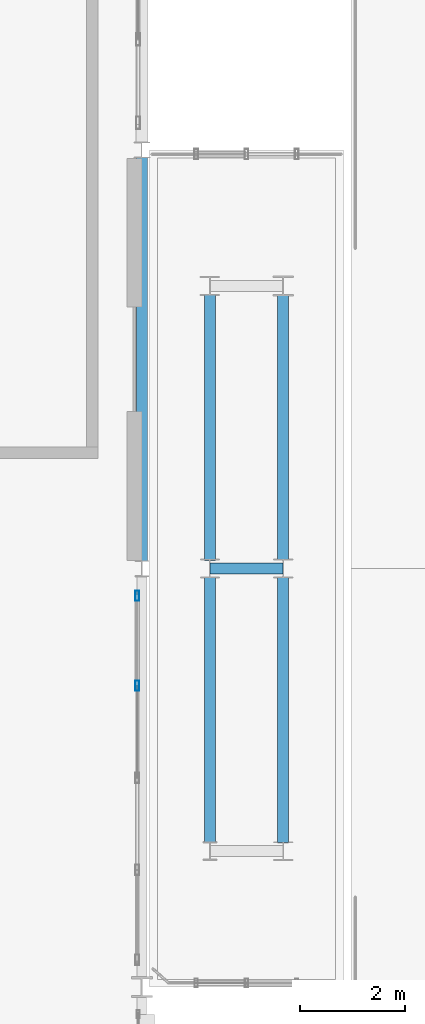
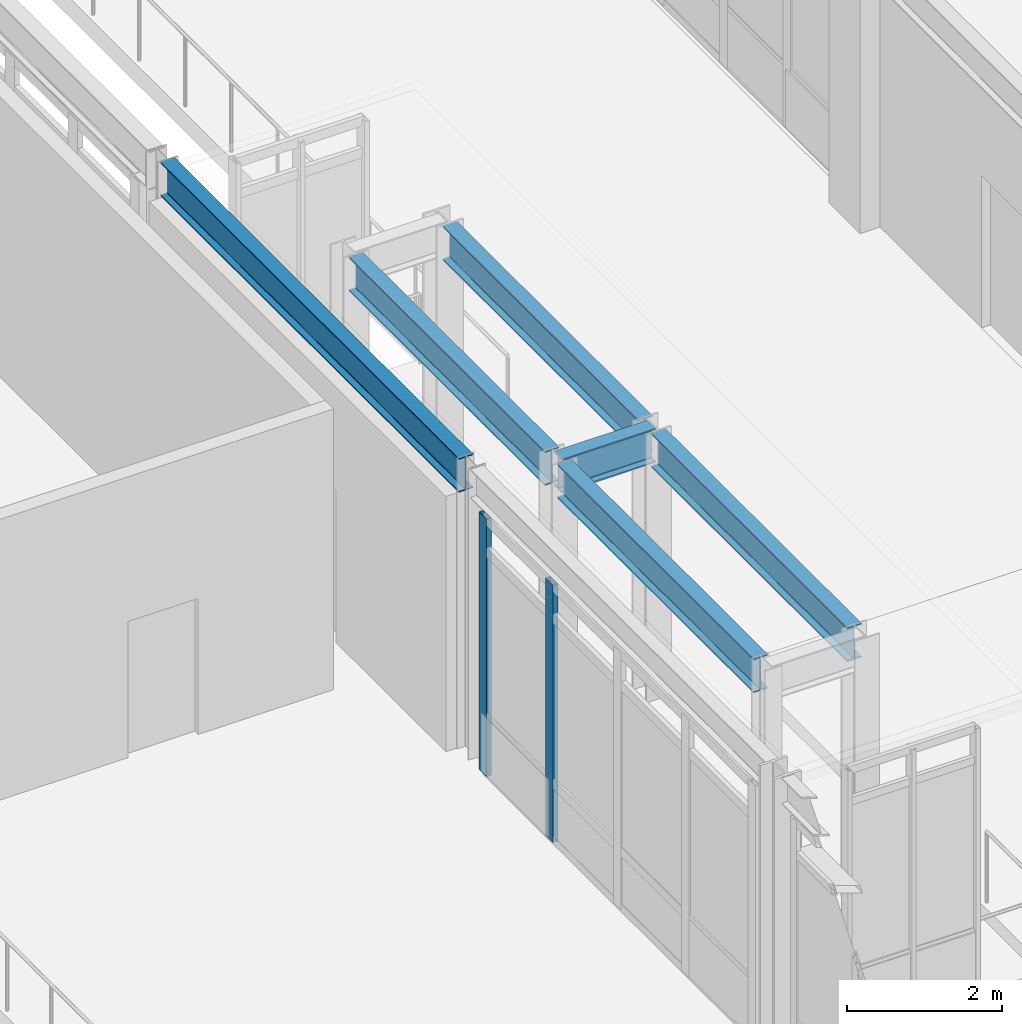
# One storey, part 36 of 200: 6 beams, 2 members, 1 element without a shape of its own.
"""IFC4 building model written with IfcOpenShell, lengths in metres."""

from ifc_helpers import new_model, si_unit, direction, frame, origin, origin_2d, place, context, subcontext, project, spatial, hollow_rectangle, i_section, extrude, material, material_profile, profile_set, type_object, element, aggregate, save


model = new_model("IFC4")

# Units and contexts
model_context = context("Model", 3, precision=1e-05, world=origin(), true_north=direction((0.0, 1.0)))
body_context = subcontext(model_context, "Body", "Model", "MODEL_VIEW")
ifc_project = project(units=[si_unit("LENGTHUNIT", "METRE"), si_unit("AREAUNIT", "SQUARE_METRE"), si_unit("VOLUMEUNIT", "CUBIC_METRE"), si_unit("PLANEANGLEUNIT", "RADIAN"), si_unit("MASSUNIT", "GRAM", prefix="KILO"), si_unit("THERMODYNAMICTEMPERATUREUNIT", "KELVIN"), si_unit("POWERUNIT", "WATT")], contexts=[model_context])

# Site, building, storey
site_placement = place(None, origin())
site = spatial("IfcSite", under=ifc_project, at=site_placement, CompositionType="ELEMENT")
building_placement = place(site_placement, origin())
building = spatial("IfcBuilding", under=site, at=building_placement, Name="Tepalcoro Natatorium and Aquatics Centre", CompositionType="ELEMENT")
storey_placement = place(building_placement, frame((0.0, 0.0, 5.39990234375)))
storey = spatial("IfcBuildingStorey", under=building, at=storey_placement, Name="L01", CompositionType="ELEMENT", Elevation=5.39990234375)

# Beams
ifc_material_1 = material(Name="Steel ASTM A992 Grade 50 (Fy 345 MPa)", Category="steel")
ifc_material_profile_1 = material_profile(ifc_material_1, i_section(OverallWidth=0.2109375, OverallDepth=0.5380859375, WebThickness=0.011962890625, FlangeThickness=0.01904296875, FilletRadius=0.013916015625, at=origin_2d()), Name="W21X73")
ifc_profile_set_1 = profile_set([ifc_material_profile_1], Name="Steel ASTM A992 Grade 50 (Fy 345 MPa)")
beam_type_1 = type_object("IfcBeamType", Name="BM_LINK_LB1", PredefinedType="BEAM", material=ifc_profile_set_1)
beam_1_placement = place(storey_placement, frame((37.300048828125, 36.0, 3.9560546875), z_axis=(1.0, 0.0, 0.0), x_axis=(0.0, 1.0, 0.0)))
element("IfcBeam", 1, at=beam_1_placement, inside=storey, type_object=beam_type_1, Name="Seismic passage link beam LB1 (V6W L01)", PredefinedType="BEAM", context=body_context, shape_type="SweptSolid", body=[
    extrude(i_section(OverallWidth=0.2109375, OverallDepth=0.5380859375, WebThickness=0.011962890625, FlangeThickness=0.01904296875, FilletRadius=0.013916015625, at=origin_2d()), origin(), (0.0, 0.0, 1.0), 1.39990234375),
])
beam_2_placement = place(storey_placement, frame((37.300048828125, 30.757080078125, 3.9560546875), z_axis=(0.0, 1.0, 0.0), x_axis=(-1.0, 0.0, 0.0)))
element("IfcBeam", 2, at=beam_2_placement, inside=storey, type_object=beam_type_1, Name="Seismic passage link beam LB1 (V6W L01)", PredefinedType="BEAM", context=body_context, shape_type="SweptSolid", body=[
    extrude(i_section(OverallWidth=0.2109375, OverallDepth=0.5380859375, WebThickness=0.011962890625, FlangeThickness=0.01904296875, FilletRadius=0.013916015625, at=origin_2d()), origin(), (0.0, 0.0, 1.0), 5.0859375),
])
beam_3_placement = place(storey_placement, frame((37.300048828125, 36.156982421875, 3.9560546875), z_axis=(0.0, 1.0, 0.0), x_axis=(-1.0, 0.0, 0.0)))
element("IfcBeam", 3, at=beam_3_placement, inside=storey, type_object=beam_type_1, Name="Seismic passage link beam LB1 (V6W L01)", PredefinedType="BEAM", context=body_context, shape_type="SweptSolid", body=[
    extrude(i_section(OverallWidth=0.2109375, OverallDepth=0.5380859375, WebThickness=0.011962890625, FlangeThickness=0.01904296875, FilletRadius=0.013916015625, at=origin_2d()), origin(), (0.0, 0.0, 1.0), 5.080078125),
])
beam_4_placement = place(storey_placement, frame((38.699951171875, 30.757080078125, 3.9560546875), z_axis=(0.0, 1.0, 0.0), x_axis=(-1.0, 0.0, 0.0)))
element("IfcBeam", 4, at=beam_4_placement, inside=storey, type_object=beam_type_1, Name="Seismic passage link beam LB1 (V6W L01)", PredefinedType="BEAM", context=body_context, shape_type="SweptSolid", body=[
    extrude(i_section(OverallWidth=0.2109375, OverallDepth=0.5380859375, WebThickness=0.011962890625, FlangeThickness=0.01904296875, FilletRadius=0.013916015625, at=origin_2d()), origin(), (0.0, 0.0, 1.0), 5.079833984375),
])
beam_5_placement = place(storey_placement, frame((38.699951171875, 36.1630859375, 3.9560546875), z_axis=(0.0, 1.0, 0.0), x_axis=(-1.0, 0.0, 0.0)))
element("IfcBeam", 5, at=beam_5_placement, inside=storey, type_object=beam_type_1, Name="Seismic passage link beam LB1 (V6W L01)", PredefinedType="BEAM", context=body_context, shape_type="SweptSolid", body=[
    extrude(i_section(OverallWidth=0.2109375, OverallDepth=0.5380859375, WebThickness=0.011962890625, FlangeThickness=0.01904296875, FilletRadius=0.013916015625, at=origin_2d()), origin(), (0.0, 0.0, 1.0), 5.06982421875),
])

# Curtain wall, members
ifc_material_2 = material(Name="Bronze-Anodised Extruded Aluminium Alloy EN AW-6063 T6", Category="aluminium")
curtain_wall_type = type_object("IfcCurtainWallType", Name="CW_V1_PLINTH", PredefinedType="USERDEFINED", material=ifc_material_2)
curtain_wall_placement = place(storey_placement, origin())
curtain_wall = element("IfcCurtainWall", 6, at=curtain_wall_placement, inside=storey, type_object=curtain_wall_type, Name="V3 L01 E Unitised Curtain Wall Bay 4", ObjectType="UNITISED STOREFRONT", PredefinedType="USERDEFINED")
ifc_material_profile_2 = material_profile(ifc_material_2, hollow_rectangle(XDim=0.070068359375, YDim=0.199951171875, WallThickness=0.0048828125, at=origin_2d()), Name="AL70X200X5")
ifc_profile_set_2 = profile_set([ifc_material_profile_2], Name="Bronze-Anodised Extruded Aluminium Alloy EN AW-6063 T6")
member_type = type_object("IfcMemberType", Name="CW_MUL_70x200", PredefinedType="MULLION", material=ifc_profile_set_2)
member_1_placement = place(storey_placement, frame((35.909912109375, 33.760009765625, 0.02001953125), z_axis=(0.0, 0.0, 1.0), x_axis=(1.0, 0.0, 0.0)))
member_1 = element("IfcMember", 7, at=member_1_placement, type_object=member_type, Name="CW_V1_PLINTH Curtain Wall Mullion", PredefinedType="MULLION", context=body_context, shape_type="SweptSolid", body=[
    extrude(hollow_rectangle(XDim=0.070068359375, YDim=0.199951171875, WallThickness=0.0048828125, at=origin_2d()), origin(), (0.0, 0.0, 1.0), 4.070068359375),
])
member_2_placement = place(storey_placement, frame((35.909912109375, 35.47998046875, 0.02001953125), z_axis=(0.0, 0.0, 1.0), x_axis=(1.0, 0.0, 0.0)))
member_2 = element("IfcMember", 8, at=member_2_placement, type_object=member_type, Name="CW_V1_PLINTH Curtain Wall Mullion", PredefinedType="MULLION", context=body_context, shape_type="SweptSolid", body=[
    extrude(hollow_rectangle(XDim=0.070068359375, YDim=0.199951171875, WallThickness=0.0048828125, at=origin_2d()), origin(), (0.0, 0.0, 1.0), 4.070068359375),
])
aggregate(curtain_wall, [member_1, member_2])

# Beam
ifc_material_profile_3 = material_profile(ifc_material_1, i_section(OverallWidth=0.2099609375, OverallDepth=0.535888671875, WebThickness=0.010986328125, FlangeThickness=0.01708984375, FilletRadius=0.013916015625, at=origin_2d()), Name="W21X68")
ifc_profile_set_3 = profile_set([ifc_material_profile_3], Name="Steel ASTM A992 Grade 50 (Fy 345 MPa)")
beam_type_2 = type_object("IfcBeamType", Name="SP_W21x68", PredefinedType="SPANDREL", material=ifc_profile_set_3)
beam_6_placement = place(storey_placement, frame((36.0, 36.132568359375, 4.317138671875), z_axis=(0.0, 1.0, 0.0), x_axis=(-1.0, 0.0, 0.0)))
element("IfcBeam", 9, at=beam_6_placement, inside=storey, type_object=beam_type_2, Name="V3 L01 Grid Girder Y", PredefinedType="SPANDREL", context=body_context, shape_type="SweptSolid", body=[
    extrude(i_section(OverallWidth=0.2099609375, OverallDepth=0.535888671875, WebThickness=0.010986328125, FlangeThickness=0.01708984375, FilletRadius=0.013916015625, at=origin_2d()), origin(), (0.0, 0.0, 1.0), 7.73095703125),
])

save(model, "model.ifc")
